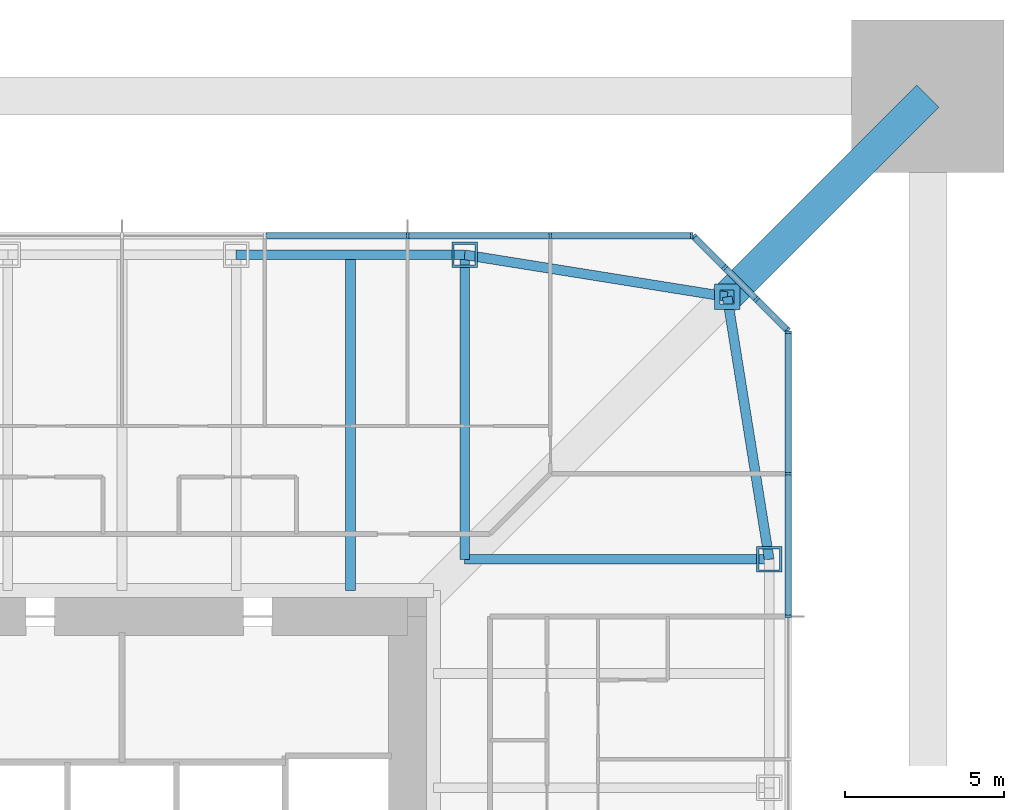
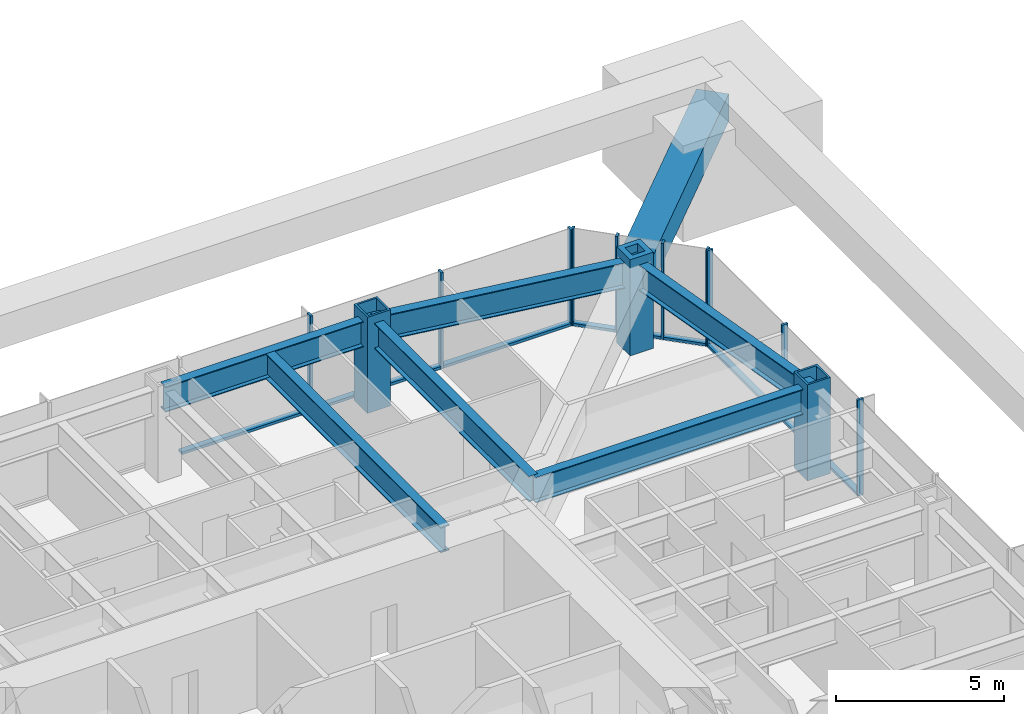
# One storey, part 11 of 20: 22 members, 6 beams, 3 elements without a shape of their own.
"""IFC4 building model written with IfcOpenShell, lengths in metres."""

from ifc_helpers import new_model, si_unit, direction, frame, origin, origin_2d, place, context, subcontext, project, spatial, rectangle, hollow_rectangle, i_section, extrude, material, material_profile, profile_set, type_object, element, aggregate, save


model = new_model("IFC4")

# Units and contexts
model_context = context("Model", 3, precision=1e-05, world=origin(), true_north=direction((0.0, 1.0)))
body_context = subcontext(model_context, "Body", "Model", "MODEL_VIEW")
ifc_project = project(units=[si_unit("LENGTHUNIT", "METRE"), si_unit("AREAUNIT", "SQUARE_METRE"), si_unit("VOLUMEUNIT", "CUBIC_METRE"), si_unit("PLANEANGLEUNIT", "RADIAN"), si_unit("MASSUNIT", "GRAM", prefix="KILO")], contexts=[model_context])

# Site, building, storey
site_placement = place(None, origin())
site = spatial("IfcSite", under=ifc_project, at=site_placement, CompositionType="ELEMENT")
building_placement = place(site_placement, origin())
building = spatial("IfcBuilding", under=site, at=building_placement, Name="Iwan Alto Co-Living Towers", CompositionType="ELEMENT")
storey_placement = place(building_placement, frame((0.0, 0.0, 140.0)))
storey = spatial("IfcBuildingStorey", under=building, at=storey_placement, Name="L38", CompositionType="ELEMENT", Elevation=140.0)

# Curtain wall, members
ifc_material_1 = material(Name="Bronze aluminium unitised frame", Category="aluminium")
curtain_wall_type_1 = type_object("IfcCurtainWallType", Name="CURTAIN WALL CW-A", PredefinedType="NOTDEFINED", material=ifc_material_1)
curtain_wall_1_placement = place(storey_placement, origin())
curtain_wall_1 = element("IfcCurtainWall", 1, at=curtain_wall_1_placement, inside=storey, type_object=curtain_wall_type_1, Name="T1 curtain wall E L38", PredefinedType="NOTDEFINED")
ifc_material_2 = material(Name="Aluminium 6063-T6 bronze anodised", Category="aluminium")
ifc_material_profile_1 = material_profile(ifc_material_2, rectangle(XDim=0.199951171875, YDim=0.080078125, at=origin_2d()), Name="AL 80X200")
ifc_profile_set_1 = profile_set([ifc_material_profile_1], Name="Aluminium 6063-T6 bronze anodised")
member_type_1 = type_object("IfcMemberType", Name="CW-A MULLION 80X200", PredefinedType="MULLION", material=ifc_profile_set_1)
member_1_placement = place(storey_placement, frame((21.0, 9.0, 0.0), z_axis=(0.0, 0.0, 1.0), x_axis=(-1.0, 0.0, 0.0)))
member_1 = element("IfcMember", 2, at=member_1_placement, type_object=member_type_1, Name="CW-A mullion 7", PredefinedType="MULLION", context=body_context, shape_type="SweptSolid", body=[
    extrude(rectangle(XDim=0.199951171875, YDim=0.080078125, at=origin_2d()), origin(), (0.0, 0.0, 1.0), 3.5),
])
member_2_placement = place(storey_placement, frame((21.0, 13.5, 0.0), z_axis=(0.0, 0.0, 1.0), x_axis=(-1.0, 0.0, 0.0)))
member_2 = element("IfcMember", 3, at=member_2_placement, type_object=member_type_1, Name="CW-A mullion 8", PredefinedType="MULLION", context=body_context, shape_type="SweptSolid", body=[
    extrude(rectangle(XDim=0.199951171875, YDim=0.080078125, at=origin_2d()), origin(), (0.0, 0.0, 1.0), 3.5),
])
member_3_placement = place(storey_placement, frame((21.0, 17.9599609375, 0.0), z_axis=(0.0, 0.0, 1.0), x_axis=(-1.0, 0.0, 0.0)))
member_3 = element("IfcMember", 4, at=member_3_placement, type_object=member_type_1, Name="CW-A mullion 9", PredefinedType="MULLION", context=body_context, shape_type="SweptSolid", body=[
    extrude(rectangle(XDim=0.199951171875, YDim=0.080078125, at=origin_2d()), origin(), (0.0, 0.0, 1.0), 3.5),
])

curtain_wall_2_placement = place(storey_placement, origin())
curtain_wall_2 = element("IfcCurtainWall", 5, at=curtain_wall_2_placement, inside=storey, type_object=curtain_wall_type_1, Name="T1 curtain wall N L38", PredefinedType="NOTDEFINED")
member_4_placement = place(storey_placement, frame((17.9599609375, 21.0, 0.0), z_axis=(0.0, 0.0, 1.0), x_axis=(0.0, -1.0, 0.0)))
member_4 = element("IfcMember", 6, at=member_4_placement, type_object=member_type_1, Name="CW-A mullion 1", PredefinedType="MULLION", context=body_context, shape_type="SweptSolid", body=[
    extrude(rectangle(XDim=0.199951171875, YDim=0.080078125, at=origin_2d()), origin(), (0.0, 0.0, 1.0), 3.5),
])
member_5_placement = place(storey_placement, frame((13.5, 21.0, 0.0), z_axis=(0.0, 0.0, 1.0), x_axis=(0.0, -1.0, 0.0)))
member_5 = element("IfcMember", 7, at=member_5_placement, type_object=member_type_1, Name="CW-A mullion 2", PredefinedType="MULLION", context=body_context, shape_type="SweptSolid", body=[
    extrude(rectangle(XDim=0.199951171875, YDim=0.080078125, at=origin_2d()), origin(), (0.0, 0.0, 1.0), 3.5),
])
member_6_placement = place(storey_placement, frame((9.0, 21.0, 0.0), z_axis=(0.0, 0.0, 1.0), x_axis=(0.0, -1.0, 0.0)))
member_6 = element("IfcMember", 8, at=member_6_placement, type_object=member_type_1, Name="CW-A mullion 3", PredefinedType="MULLION", context=body_context, shape_type="SweptSolid", body=[
    extrude(rectangle(XDim=0.199951171875, YDim=0.080078125, at=origin_2d()), origin(), (0.0, 0.0, 1.0), 3.5),
])

# Member
ifc_material_3 = material(Name="Aluminium 6063-T6 bronze anodised", Category="aluminium")
ifc_material_profile_2 = material_profile(ifc_material_3, rectangle(XDim=0.199951171875, YDim=0.10009765625, at=origin_2d()), Name="AL 200X100")
ifc_profile_set_2 = profile_set([ifc_material_profile_2], Name="Aluminium 6063-T6 bronze anodised")
member_type_2 = type_object("IfcMemberType", Name="CW-A TRANSOM 200X100", PredefinedType="USERDEFINED", material=ifc_profile_set_2)
member_7_placement = place(storey_placement, frame((21.0, 9.0400390625, 0.050048828125), z_axis=(0.0, 1.0, 0.0), x_axis=(-1.0, 0.0, 0.0)))
member_7 = element("IfcMember", 9, at=member_7_placement, type_object=member_type_2, Name="CW-A transom 7.1", ObjectType="TRANSOM", PredefinedType="USERDEFINED", context=body_context, shape_type="SweptSolid", body=[
    extrude(rectangle(XDim=0.199951171875, YDim=0.10009765625, at=origin_2d()), origin(), (0.0, 0.0, 1.0), 4.419921875),
])

member_8_placement = place(storey_placement, frame((21.0, 13.5400390625, 0.050048828125), z_axis=(0.0, 1.0, 0.0), x_axis=(-1.0, 0.0, 0.0)))
member_8 = element("IfcMember", 10, at=member_8_placement, type_object=member_type_2, Name="CW-A transom 8.1", ObjectType="TRANSOM", PredefinedType="USERDEFINED", context=body_context, shape_type="SweptSolid", body=[
    extrude(rectangle(XDim=0.199951171875, YDim=0.10009765625, at=origin_2d()), origin(), (0.0, 0.0, 1.0), 4.3798828125),
])

aggregate(curtain_wall_1, [member_1, member_2, member_3, member_7, member_8])

member_9_placement = place(storey_placement, frame((17.919921875, 21.0, 0.050048828125), z_axis=(-1.0, 0.0, 0.0), x_axis=(0.0, -1.0, 0.0)))
member_9 = element("IfcMember", 11, at=member_9_placement, type_object=member_type_2, Name="CW-A transom 1.1", ObjectType="TRANSOM", PredefinedType="USERDEFINED", context=body_context, shape_type="SweptSolid", body=[
    extrude(rectangle(XDim=0.199951171875, YDim=0.10009765625, at=origin_2d()), origin(), (0.0, 0.0, 1.0), 4.3798828125),
])

member_10_placement = place(storey_placement, frame((13.4599609375, 21.0, 0.050048828125), z_axis=(-1.0, 0.0, 0.0), x_axis=(0.0, -1.0, 0.0)))
member_10 = element("IfcMember", 12, at=member_10_placement, type_object=member_type_2, Name="CW-A transom 2.1", ObjectType="TRANSOM", PredefinedType="USERDEFINED", context=body_context, shape_type="SweptSolid", body=[
    extrude(rectangle(XDim=0.199951171875, YDim=0.10009765625, at=origin_2d()), origin(), (0.0, 0.0, 1.0), 4.419921875),
])

member_11_placement = place(storey_placement, frame((8.9599609375, 21.0, 0.050048828125), z_axis=(-1.0, 0.0, 0.0), x_axis=(0.0, -1.0, 0.0)))
member_11 = element("IfcMember", 13, at=member_11_placement, type_object=member_type_2, Name="CW-A transom 3.1", ObjectType="TRANSOM", PredefinedType="USERDEFINED", context=body_context, shape_type="SweptSolid", body=[
    extrude(rectangle(XDim=0.199951171875, YDim=0.10009765625, at=origin_2d()), origin(), (0.0, 0.0, 1.0), 4.419921875),
])

aggregate(curtain_wall_2, [member_4, member_5, member_6, member_9, member_10, member_11])

# Curtain wall, members
ifc_material_4 = material(Name="Bronze aluminium unitised frame", Category="aluminium")
curtain_wall_type_2 = type_object("IfcCurtainWallType", Name="CURTAIN WALL CW-B", PredefinedType="NOTDEFINED", material=ifc_material_4)
curtain_wall_3_placement = place(storey_placement, origin())
curtain_wall_3 = element("IfcCurtainWall", 14, at=curtain_wall_3_placement, inside=storey, type_object=curtain_wall_type_2, Name="T1 chamfer curtain wall NE L38", PredefinedType="NOTDEFINED")
ifc_material_5 = material(Name="Aluminium 6063-T6 bronze anodised", Category="aluminium")
ifc_material_profile_3 = material_profile(ifc_material_5, rectangle(XDim=0.199951171875, YDim=0.080078125, at=origin_2d()), Name="AL 80X200")
ifc_profile_set_3 = profile_set([ifc_material_profile_3], Name="Aluminium 6063-T6 bronze anodised")
member_type_3 = type_object("IfcMemberType", Name="CW-B MULLION 80X200", PredefinedType="MULLION", material=ifc_profile_set_3)
member_12_placement = place(storey_placement, frame((20.9716796875, 18.0283203125, 0.0), z_axis=(0.0, 0.0, 1.0), x_axis=(-0.707106781187, -0.707106781187, 0.0)))
member_12 = element("IfcMember", 15, at=member_12_placement, type_object=member_type_3, Name="CW-B mullion 1", PredefinedType="MULLION", context=body_context, shape_type="SweptSolid", body=[
    extrude(rectangle(XDim=0.199951171875, YDim=0.080078125, at=origin_2d()), origin(), (0.0, 0.0, 1.0), 3.5),
])
member_13_placement = place(storey_placement, frame((20.0, 19.0, 0.0), z_axis=(0.0, 0.0, 1.0), x_axis=(-0.707106781187, -0.707106781187, 0.0)))
member_13 = element("IfcMember", 16, at=member_13_placement, type_object=member_type_3, Name="CW-B mullion 2", PredefinedType="MULLION", context=body_context, shape_type="SweptSolid", body=[
    extrude(rectangle(XDim=0.199951171875, YDim=0.080078125, at=origin_2d()), origin(), (0.0, 0.0, 1.0), 3.5),
])
member_14_placement = place(storey_placement, frame((19.0, 20.0, 0.0), z_axis=(0.0, 0.0, 1.0), x_axis=(-0.707106781187, -0.707106781187, 0.0)))
member_14 = element("IfcMember", 17, at=member_14_placement, type_object=member_type_3, Name="CW-B mullion 3", PredefinedType="MULLION", context=body_context, shape_type="SweptSolid", body=[
    extrude(rectangle(XDim=0.199951171875, YDim=0.080078125, at=origin_2d()), origin(), (0.0, 0.0, 1.0), 3.5),
])
member_15_placement = place(storey_placement, frame((18.0283203125, 20.9716796875, 0.0), z_axis=(0.0, 0.0, 1.0), x_axis=(-0.707106781187, -0.707106781187, 0.0)))
member_15 = element("IfcMember", 18, at=member_15_placement, type_object=member_type_3, Name="CW-B mullion 4", PredefinedType="MULLION", context=body_context, shape_type="SweptSolid", body=[
    extrude(rectangle(XDim=0.199951171875, YDim=0.080078125, at=origin_2d()), origin(), (0.0, 0.0, 1.0), 3.5),
])
ifc_material_6 = material(Name="Aluminium 6063-T6 bronze anodised", Category="aluminium")
ifc_material_profile_4 = material_profile(ifc_material_6, rectangle(XDim=0.199951171875, YDim=0.10009765625, at=origin_2d()), Name="AL 200X100")
ifc_profile_set_4 = profile_set([ifc_material_profile_4], Name="Aluminium 6063-T6 bronze anodised")
member_type_4 = type_object("IfcMemberType", Name="CW-B TRANSOM 200X100", PredefinedType="USERDEFINED", material=ifc_profile_set_4)
member_16_placement = place(storey_placement, frame((20.943359375, 18.056640625, 0.050048828125), z_axis=(-0.707106781187, 0.707106781187, 0.0), x_axis=(-0.707106781187, -0.707106781187, 0.0)))
member_16 = element("IfcMember", 19, at=member_16_placement, type_object=member_type_4, Name="CW-B transom 1.1", ObjectType="TRANSOM", PredefinedType="USERDEFINED", context=body_context, shape_type="SweptSolid", body=[
    extrude(rectangle(XDim=0.199951171875, YDim=0.10009765625, at=origin_2d()), origin(), (0.0, 0.0, 1.0), 1.2939453125),
])
member_17_placement = place(storey_placement, frame((19.9716796875, 19.0283203125, 0.050048828125), z_axis=(-0.707106781187, 0.707106781187, 0.0), x_axis=(-0.707106781187, -0.707106781187, 0.0)))
member_17 = element("IfcMember", 20, at=member_17_placement, type_object=member_type_4, Name="CW-B transom 2.1", ObjectType="TRANSOM", PredefinedType="USERDEFINED", context=body_context, shape_type="SweptSolid", body=[
    extrude(rectangle(XDim=0.199951171875, YDim=0.10009765625, at=origin_2d()), origin(), (0.0, 0.0, 1.0), 1.334228515625),
])
member_18_placement = place(storey_placement, frame((18.9716796875, 20.0283203125, 0.050048828125), z_axis=(-0.707106781187, 0.707106781187, 0.0), x_axis=(-0.707106781187, -0.707106781187, 0.0)))
member_18 = element("IfcMember", 21, at=member_18_placement, type_object=member_type_4, Name="CW-B transom 3.1", ObjectType="TRANSOM", PredefinedType="USERDEFINED", context=body_context, shape_type="SweptSolid", body=[
    extrude(rectangle(XDim=0.199951171875, YDim=0.10009765625, at=origin_2d()), origin(), (0.0, 0.0, 1.0), 1.2939453125),
])
aggregate(curtain_wall_3, [member_12, member_13, member_14, member_15, member_16, member_17, member_18])

# Beams
ifc_material_7 = material(Name="Steel ASTM A992 Gr 50", Category="steel")
ifc_material_profile_5 = material_profile(ifc_material_7, i_section(OverallWidth=0.307373046875, OverallDepth=0.927001953125, WebThickness=0.01953125, FlangeThickness=0.031982421875, at=origin_2d()), Name="W36X194")
ifc_profile_set_5 = profile_set([ifc_material_profile_5], Name="Steel ASTM A992 Gr 50")
beam_type_1 = type_object("IfcBeamType", Name="T1 BELT TRUSS CHORD W36X194", PredefinedType="BEAM", material=ifc_profile_set_5)
for number, where, z_axis, x_axis, name in (
    (22, (20.39990234375, 10.800048828125, 2.736328125), (-0.158004134737, 0.987438450439, 0.0), (-0.987438450439, -0.158004134737, 0.0), "T1 edge beam E4 L39"),
    (23, (19.07568359375, 19.07568359375, 2.736328125), (-0.987438450439, 0.158004134737, 0.0), (-0.158004134737, -0.987438450439, 0.0), "T1 edge beam CNE L39"),
):
    element("IfcBeam", number, at=place(storey_placement, frame(where, z_axis=z_axis, x_axis=x_axis)), inside=storey, type_object=beam_type_1, Name=name, PredefinedType="BEAM", context=body_context, shape_type="SweptSolid", body=[
        extrude(i_section(OverallWidth=0.307373046875, OverallDepth=0.927001953125, WebThickness=0.01953125, FlangeThickness=0.031982421875, at=origin_2d()), origin(), (0.0, 0.0, 1.0), 8.380859375),
    ])
beam_1_placement = place(storey_placement, frame((10.800048828125, 20.39990234375, 2.736328125), z_axis=(-1.0, 0.0, 0.0), x_axis=(0.0, -1.0, 0.0)))
element("IfcBeam", 24, at=beam_1_placement, inside=storey, type_object=beam_type_1, Name="T1 edge beam N1 L39", PredefinedType="BEAM", context=body_context, shape_type="SweptSolid", body=[
    extrude(i_section(OverallWidth=0.307373046875, OverallDepth=0.927001953125, WebThickness=0.01953125, FlangeThickness=0.031982421875, at=origin_2d()), origin(), (0.0, 0.0, 1.0), 7.199951171875),
])

# Members
ifc_material_8 = material(Name="Steel ASTM A36", Category="steel")
ifc_material_profile_6 = material_profile(ifc_material_8, hollow_rectangle(XDim=0.800048828125, YDim=0.800048828125, WallThickness=0.179931640625, at=origin_2d()), Name="BOX 800X800X180")
ifc_profile_set_6 = profile_set([ifc_material_profile_6], Name="Steel ASTM A36")
member_type_5 = type_object("IfcMemberType", Name="T1 HEAVY RING POST AT STEP BOX 800X800X180", PredefinedType="MEMBER", material=ifc_profile_set_6)
member_19_placement = place(storey_placement, frame((19.07568359375, 19.07568359375, 0.0), z_axis=(0.0, 0.0, 1.0), x_axis=(1.0, 0.0, 0.0)))
element("IfcMember", 25, at=member_19_placement, inside=storey, type_object=member_type_5, Name="T1 ring post at step CNE L38", PredefinedType="MEMBER", context=body_context, shape_type="SweptSolid", body=[
    extrude(hollow_rectangle(XDim=0.800048828125, YDim=0.800048828125, WallThickness=0.179931640625, at=origin_2d()), origin(), (0.0, 0.0, 1.0), 3.5),
])
ifc_material_9 = material(Name="Steel ASTM A572 Gr 50", Category="steel")
ifc_material_profile_7 = material_profile(ifc_material_9, hollow_rectangle(XDim=1.0, YDim=1.0, WallThickness=0.070068359375, at=origin_2d()), Name="BOX 1000X1000X70")
ifc_profile_set_7 = profile_set([ifc_material_profile_7], Name="Steel ASTM A572 Gr 50")
member_type_6 = type_object("IfcMemberType", Name="T1 OUTRIGGER CHORD BOX 1000X1000X70", PredefinedType="CHORD", material=ifc_profile_set_7)
member_20_placement = place(storey_placement, frame((19.07568359375, 19.07568359375, 2.699951171875), z_axis=(0.707106781187, 0.707106781187, 0.0), x_axis=(-0.707106781187, 0.707106781187, 0.0)))
element("IfcMember", 26, at=member_20_placement, inside=storey, type_object=member_type_6, Name="T1 outrigger NE L39 bottom chord 2", PredefinedType="CHORD", context=body_context, shape_type="SweptSolid", body=[
    extrude(hollow_rectangle(XDim=1.0, YDim=1.0, WallThickness=0.070068359375, at=origin_2d()), origin(), (0.0, 0.0, 1.0), 8.94384765625),
])

# Beams
ifc_material_10 = material(Name="Steel ASTM A992 Gr 50", Category="steel")
ifc_material_profile_8 = material_profile(ifc_material_10, i_section(OverallWidth=0.307373046875, OverallDepth=0.927001953125, WebThickness=0.01953125, FlangeThickness=0.031982421875, at=origin_2d()), Name="W36X194")
ifc_profile_set_8 = profile_set([ifc_material_profile_8], Name="Steel ASTM A992 Gr 50")
beam_type_2 = type_object("IfcBeamType", Name="T1 RADIAL BEAM W36X194", PredefinedType="BEAM", material=ifc_profile_set_8)
for number, where, z_axis, x_axis, name in (
    (27, (20.39990234375, 10.800048828125, 2.736328125), (-1.0, 0.0, 0.0), (0.0, -1.0, 0.0), "T1 radial beam E4 L39"),
    (28, (10.800048828125, 20.39990234375, 2.736328125), (0.0, -1.0, 0.0), (1.0, 0.0, 0.0), "T1 radial beam N1 L39"),
):
    element("IfcBeam", number, at=place(storey_placement, frame(where, z_axis=z_axis, x_axis=x_axis)), inside=storey, type_object=beam_type_2, Name=name, PredefinedType="BEAM", context=body_context, shape_type="SweptSolid", body=[
        extrude(i_section(OverallWidth=0.307373046875, OverallDepth=0.927001953125, WebThickness=0.01953125, FlangeThickness=0.031982421875, at=origin_2d()), origin(), (0.0, 0.0, 1.0), 9.599853515625),
    ])

# Members
ifc_material_11 = material(Name="Steel ASTM A572 Gr 50", Category="steel")
ifc_material_profile_9 = material_profile(ifc_material_11, hollow_rectangle(XDim=0.800048828125, YDim=0.800048828125, WallThickness=0.070068359375, at=origin_2d()), Name="BOX 800X800X70")
ifc_profile_set_9 = profile_set([ifc_material_profile_9], Name="Steel ASTM A572 Gr 50")
member_type_7 = type_object("IfcMemberType", Name="T1 RING POST AT STEP BOX 800X800X70", PredefinedType="MEMBER", material=ifc_profile_set_9)
for number, where, z_axis, x_axis, name in (
    (29, (20.39990234375, 10.800048828125, 0.0), (0.0, 0.0, 1.0), (1.0, 0.0, 0.0), "T1 ring post at step E4 L38"),
    (30, (10.800048828125, 20.39990234375, 0.0), (0.0, 0.0, 1.0), (1.0, 0.0, 0.0), "T1 ring post at step N1 L38"),
):
    element("IfcMember", number, at=place(storey_placement, frame(where, z_axis=z_axis, x_axis=x_axis)), inside=storey, type_object=member_type_7, Name=name, PredefinedType="MEMBER", context=body_context, shape_type="SweptSolid", body=[
        extrude(hollow_rectangle(XDim=0.800048828125, YDim=0.800048828125, WallThickness=0.070068359375, at=origin_2d()), origin(), (0.0, 0.0, 1.0), 3.5),
    ])

# Beam
ifc_material_12 = material(Name="Steel ASTM A992 Gr 50", Category="steel")
ifc_material_profile_10 = material_profile(ifc_material_12, i_section(OverallWidth=0.307373046875, OverallDepth=0.927001953125, WebThickness=0.01953125, FlangeThickness=0.031982421875, at=origin_2d()), Name="W36X194")
ifc_profile_set_10 = profile_set([ifc_material_profile_10], Name="Steel ASTM A992 Gr 50")
beam_type_3 = type_object("IfcBeamType", Name="T1 SECONDARY BEAM W36X194", PredefinedType="JOIST", material=ifc_profile_set_10)
beam_2_placement = place(storey_placement, frame((7.199951171875, 20.39990234375, 2.736328125), z_axis=(0.0, -1.0, 0.0), x_axis=(1.0, 0.0, 0.0)))
element("IfcBeam", 31, at=beam_2_placement, inside=storey, type_object=beam_type_3, Name="T1 secondary beam N1 L39", PredefinedType="JOIST", context=body_context, shape_type="SweptSolid", body=[
    extrude(i_section(OverallWidth=0.307373046875, OverallDepth=0.927001953125, WebThickness=0.01953125, FlangeThickness=0.031982421875, at=origin_2d()), origin(), (0.0, 0.0, 1.0), 10.58154296875),
])

save(model, "model.ifc")
